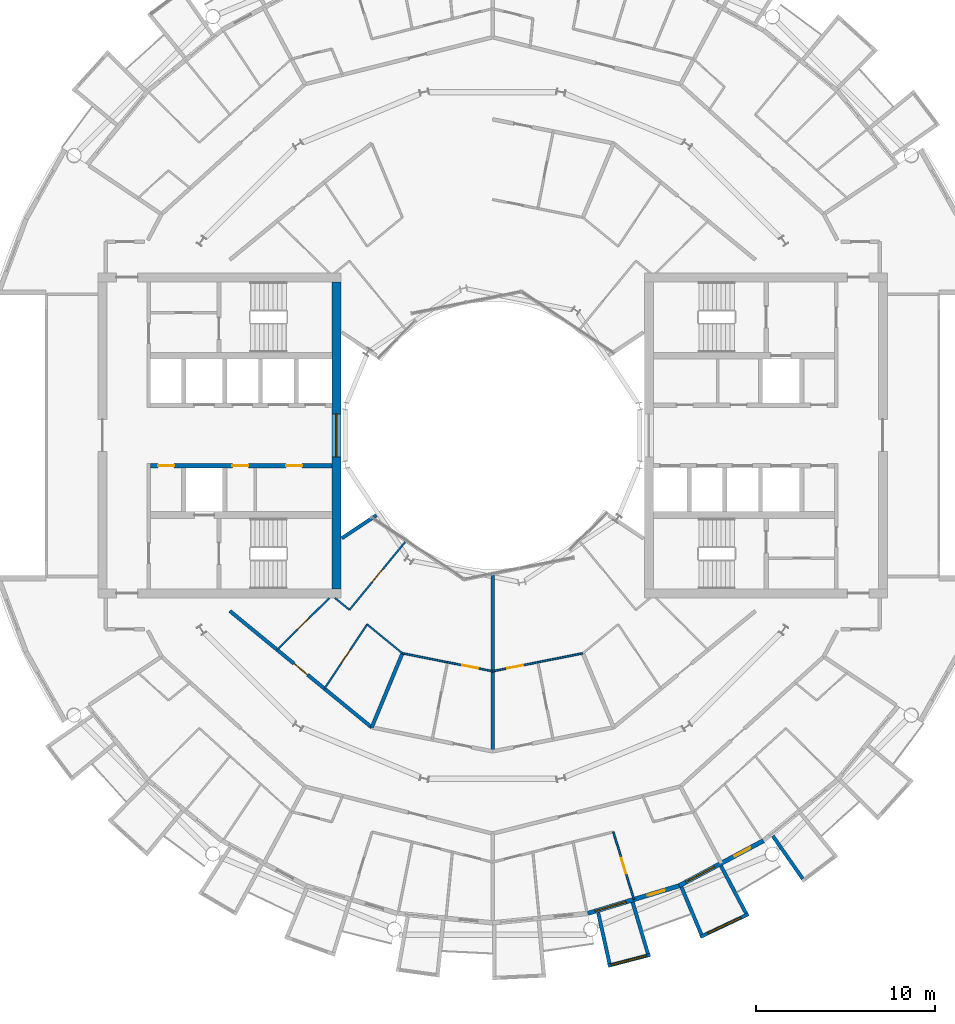
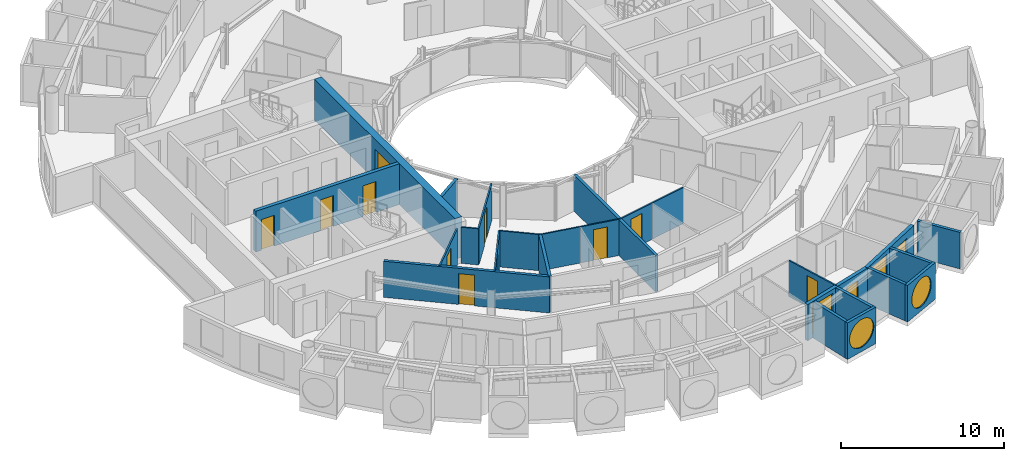
# One storey, part 16 of 27: 25 walls, 12 doors, 5 windows, 17 openings.
"""IFC4 building model written with IfcOpenShell, lengths in metres."""

import ifcopenshell
import ifcopenshell.guid

model = None  # the IFC model being written
_history = None  # IfcOwnerHistory: only IFC2X3 demands one
_inside = {}  # id of a spatial element -> (the spatial element, [elements in it])
_under = {}  # id of a project, library or spatial element -> (it, [spatial elements below it])
_declared = {}  # id of a project -> (the project, [libraries it declares])
_typed = {}  # id of a type object -> (the type object, [elements of that type])
_made_of = {}  # id of a material, layer set ... -> (it, [elements and type objects made of it])


def new_model(schema):
    """Start an empty IFC model of exactly this schema.

    Asked for "IFC4X3", IfcOpenShell would pick the latest addendum, in which some entities
    have other attributes; the version numbers below select the first issue.
    IFC2X3 requires an IfcOwnerHistory on every rooted entity: one is made here for all.
    """
    global model, _history
    if schema == "IFC4X3":
        model = ifcopenshell.file(schema_version=(4, 3, 0, 0))
    else:
        model = ifcopenshell.file(schema=schema)
    _inside.clear()
    _under.clear()
    _declared.clear()
    _typed.clear()
    _made_of.clear()
    _history = None
    if model.schema == "IFC2X3":
        org = make("IfcOrganization", Name="unknown")
        user = make(
            "IfcPersonAndOrganization",
            ThePerson=make("IfcPerson", FamilyName="unknown"),
            TheOrganization=org,
        )
        app = make(
            "IfcApplication",
            ApplicationDeveloper=org,
            Version="unknown",
            ApplicationFullName="unknown",
            ApplicationIdentifier="unknown",
        )
        _history = make(
            "IfcOwnerHistory",
            OwningUser=user,
            OwningApplication=app,
            ChangeAction="ADDED",
            CreationDate=0,
        )
    return model


def make(cls, **values):
    """One entity of the class cls with the attributes given. An attribute that is None is left unset."""
    return model.create_entity(
        cls, **{name: value for name, value in values.items() if value is not None}
    )


def rooted(cls, **values):
    """An entity with a GlobalId (a new one), such as an element, a storey or a relation."""
    return make(cls, GlobalId=ifcopenshell.guid.new(), OwnerHistory=_history, **values)


def si_unit(unit_type, name, prefix=None):
    """IfcSIUnit, for example si_unit("LENGTHUNIT", "METRE", prefix="MILLI")."""
    return make("IfcSIUnit", UnitType=unit_type, Prefix=prefix, Name=name)


def assignment(units):
    """IfcUnitAssignment: the units of a project."""
    return None if units is None else make("IfcUnitAssignment", Units=units)


def point(xyz):
    """IfcCartesianPoint."""
    return None if xyz is None else make("IfcCartesianPoint", Coordinates=xyz)


def direction(xyz):
    """IfcDirection."""
    return None if xyz is None else make("IfcDirection", DirectionRatios=xyz)


def frame(location, z_axis=None, x_axis=None):
    """IfcAxis2Placement3D, a coordinate frame: its origin and axes. An axis left out is left unset."""
    return make(
        "IfcAxis2Placement3D",
        Location=point(location),
        Axis=direction(z_axis),
        RefDirection=direction(x_axis),
    )


def frame_2d(location, x_axis=None):
    """IfcAxis2Placement2D, a coordinate frame in the plane: its origin and x axis."""
    return make(
        "IfcAxis2Placement2D", Location=point(location), RefDirection=direction(x_axis)
    )


def origin():
    """The frame at (0, 0, 0) with its axes left unset."""
    return frame((0.0, 0.0, 0.0))


def place(relative_to, where):
    """IfcLocalPlacement: puts the frame where relative to a parent placement (None: the world)."""
    return make(
        "IfcLocalPlacement", PlacementRelTo=relative_to, RelativePlacement=where
    )


def context(
    kind, dimensions, precision=None, world=None, true_north=None, identifier=None
):
    """IfcGeometricRepresentationContext, for example the 3D "Model" context."""
    return make(
        "IfcGeometricRepresentationContext",
        ContextIdentifier=identifier,
        ContextType=kind,
        CoordinateSpaceDimension=dimensions,
        Precision=precision,
        WorldCoordinateSystem=world,
        TrueNorth=true_north,
    )


def subcontext(parent, identifier, kind, view, scale=None):
    """IfcGeometricRepresentationSubContext, for example "Body" below "Model"."""
    return make(
        "IfcGeometricRepresentationSubContext",
        ContextIdentifier=identifier,
        ContextType=kind,
        ParentContext=parent,
        TargetScale=scale,
        TargetView=view,
    )


def project(units=None, contexts=None):
    """IfcProject with its units and contexts."""
    return rooted(
        "IfcProject",
        Name="project",
        RepresentationContexts=contexts,
        UnitsInContext=assignment(units),
    )


def spatial(cls, under=None, at=None, **own):
    """A site, building, storey or space (cls), placed at a placement, below another one or the project."""
    s = rooted(cls, ObjectPlacement=at, **own)
    if under is not None:
        _under.setdefault(under.id(), (under, []))[1].append(s)
    return s


def profile(cls, at=None, kind="AREA", **sizes):
    """A parametric profile (cls). Its sizes go by their IFC names, for example OverallWidth=200.0."""
    return make(cls, ProfileType=kind, Position=at, **sizes)


def rectangle(**sizes):
    """IfcRectangleProfileDef."""
    return profile("IfcRectangleProfileDef", **sizes)


def circle(**sizes):
    """IfcCircleProfileDef."""
    return profile("IfcCircleProfileDef", **sizes)


def extrude(swept, where, along, depth):
    """IfcExtrudedAreaSolid: the profile swept, set in the frame where, extruded along a direction by depth."""
    return make(
        "IfcExtrudedAreaSolid",
        SweptArea=swept,
        Position=where,
        ExtrudedDirection=direction(along),
        Depth=depth,
    )


def shape(context_of_items, identifier, shape_type, items):
    """IfcShapeRepresentation: the items that make up one representation, for example the "Body"."""
    return make(
        "IfcShapeRepresentation",
        ContextOfItems=context_of_items,
        RepresentationIdentifier=identifier,
        RepresentationType=shape_type,
        Items=items,
    )


def material(Name=None, Category=None):
    """IfcMaterial."""
    return make("IfcMaterial", Name=Name, Category=Category)


def layer(
    of_material, thickness, ventilated=None, Name=None, Category=None, Priority=None
):
    """IfcMaterialLayer: one layer of a wall or slab, of a material (None: an air gap)."""
    return make(
        "IfcMaterialLayer",
        Material=of_material,
        LayerThickness=thickness,
        IsVentilated=ventilated,
        Name=Name,
        Category=Category,
        Priority=Priority,
    )


def layer_set(layers, Name=None):
    """IfcMaterialLayerSet."""
    return make("IfcMaterialLayerSet", MaterialLayers=layers, LayerSetName=Name)


def made_of(thing, what):
    """Note that an element or type object is made of a material, layer set ...; save() writes the relation."""
    if what is not None:
        _made_of.setdefault(what.id(), (what, []))[1].append(thing)
    return thing


def type_object(cls, material=None, **own):
    """A type object (cls), such as IfcWallType, which elements share."""
    return made_of(rooted(cls, **own), material)


def element(
    cls,
    number,
    at=None,
    inside=None,
    cuts=None,
    type_object=None,
    material=None,
    context=None,
    identifier="Body",
    shape_type=None,
    held_by="IfcProductDefinitionShape",
    body=None,
    shapes=None,
    **own,
):
    """One element of the class cls, such as IfcWall. Its Tag is "e" and its number.

    at: its placement. inside: the storey or other place that contains it. cuts: it is an
    opening in that element (IfcRelVoidsElement). A single representation is given by context,
    identifier, shape_type and body (its items); several are given by shapes. held_by: the class
    of the entity that holds the representations. save() writes the other relations.
    """
    e = rooted(cls, Tag="e%d" % number, ObjectPlacement=at, **own)
    if body is not None:
        shapes = [shape(context, identifier, shape_type, body)]
    if shapes is not None:
        e.Representation = make(held_by, Representations=shapes)
    if inside is not None:
        _inside.setdefault(inside.id(), (inside, []))[1].append(e)
    if cuts is not None:
        rooted(
            "IfcRelVoidsElement", RelatingBuildingElement=cuts, RelatedOpeningElement=e
        )
    if type_object is not None:
        _typed.setdefault(type_object.id(), (type_object, []))[1].append(e)
    return made_of(e, material)


def fill(opening, filler):
    """IfcRelFillsElement: the door or window that sits in an opening."""
    return rooted(
        "IfcRelFillsElement",
        RelatingOpeningElement=opening,
        RelatedBuildingElement=filler,
    )


def aggregate(whole, parts):
    """IfcRelAggregates: a whole, such as a stair, and the parts it consists of."""
    return rooted("IfcRelAggregates", RelatingObject=whole, RelatedObjects=parts)


def save(model, path):
    """Write the relations noted so far, then the file.

    IfcRelAggregates (storeys below a building ...), IfcRelContainedInSpatialStructure (elements
    in a storey), IfcRelDefinesByType, IfcRelAssociatesMaterial and IfcRelDeclares: one each for
    every whole, place, type object, material and project.
    """
    for whole, parts in _under.values():
        aggregate(whole, parts)
    for where, things in _inside.values():
        rooted(
            "IfcRelContainedInSpatialStructure",
            RelatedElements=things,
            RelatingStructure=where,
        )
    for kind, things in _typed.values():
        rooted("IfcRelDefinesByType", RelatedObjects=things, RelatingType=kind)
    for what, things in _made_of.values():
        rooted("IfcRelAssociatesMaterial", RelatedObjects=things, RelatingMaterial=what)
    for by, libraries in _declared.values():
        rooted("IfcRelDeclares", RelatingContext=by, RelatedDefinitions=libraries)
    model.write(path)


model = new_model("IFC4")

# Units and contexts
model_context = context("Model", 3, precision=1e-05, world=origin(), true_north=direction((0.0, 1.0)))
body_context = subcontext(model_context, "Body", "Model", "MODEL_VIEW")
ifc_project = project(units=[si_unit("LENGTHUNIT", "METRE"), si_unit("AREAUNIT", "SQUARE_METRE"), si_unit("VOLUMEUNIT", "CUBIC_METRE"), si_unit("PLANEANGLEUNIT", "RADIAN"), si_unit("MASSUNIT", "GRAM", prefix="KILO")], contexts=[model_context])

# Site, building, storey
site_placement = place(None, origin())
site = spatial("IfcSite", under=ifc_project, at=site_placement, CompositionType="ELEMENT")
building_placement = place(site_placement, origin())
building = spatial("IfcBuilding", under=site, at=building_placement, Name="Maasbend Ring Residences", CompositionType="ELEMENT")
storey_placement = place(building_placement, frame((0.0, 0.0, 164.64990234375)))
storey = spatial("IfcBuildingStorey", under=building, at=storey_placement, Name="L47", CompositionType="ELEMENT", Elevation=164.64990234375)

# Wall, openings, doors
ifc_material_1 = material(Name="Concrete C60/75", Category="concrete")
ifc_layer_1 = layer(ifc_material_1, 0.25)
ifc_layer_set_1 = layer_set([ifc_layer_1], Name="Concrete C60/75")
wall_type_1 = type_object("IfcWallType", Name="CORE WALL 250 C60/75", PredefinedType="SHEAR", material=ifc_layer_set_1)
wall_1_placement = place(storey_placement, frame((-9.0, -1.699951171875, 0.0), z_axis=(0.0, 0.0, 1.0), x_axis=(-1.0, 0.0, 0.0)))
wall_1 = element("IfcWall", 1, at=wall_1_placement, inside=storey, type_object=wall_type_1, Name="L47 core W wall SPN", PredefinedType="SHEAR", context=body_context, shape_type="SweptSolid", body=[
    extrude(rectangle(XDim=10.14990234375, YDim=0.25, at=frame_2d((5.074951171875, 0.0))), origin(), (0.0, 0.0, 1.0), 3.050048828125),
])
opening_1_placement = place(wall_1_placement, frame((1.66259765625, 0.0, 0.0)))
opening_1 = element("IfcOpeningElement", 2, at=opening_1_placement, cuts=wall_1, Name="Opening D-W4706", PredefinedType="OPENING", context=body_context, shape_type="SweptSolid", body=[
    extrude(rectangle(XDim=0.89990234375, YDim=2.300048828125, at=frame_2d((0.449951171875, 1.14990234375))), frame((0.0, 0.135009765625, 0.0), z_axis=(0.0, -1.0, 0.0), x_axis=(1.0, 0.0, 0.0)), (0.0, 0.0, 1.0), 0.27001953125),
])
opening_2_placement = place(wall_1_placement, frame((4.675048828125, 0.0, 0.0)))
opening_2 = element("IfcOpeningElement", 3, at=opening_2_placement, cuts=wall_1, Name="Opening D-W4707", PredefinedType="OPENING", context=body_context, shape_type="SweptSolid", body=[
    extrude(rectangle(XDim=0.89990234375, YDim=2.300048828125, at=frame_2d((0.449951171875, 1.14990234375))), frame((0.0, 0.135009765625, 0.0), z_axis=(0.0, -1.0, 0.0), x_axis=(1.0, 0.0, 0.0)), (0.0, 0.0, 1.0), 0.27001953125),
])
opening_3_placement = place(wall_1_placement, frame((8.83740234375, 0.0, 0.0)))
opening_3 = element("IfcOpeningElement", 4, at=opening_3_placement, cuts=wall_1, Name="Opening D-W4708", PredefinedType="OPENING", context=body_context, shape_type="SweptSolid", body=[
    extrude(rectangle(XDim=0.89990234375, YDim=2.300048828125, at=frame_2d((0.449951171875, 1.14990234375))), frame((0.0, 0.135009765625, 0.0), z_axis=(0.0, -1.0, 0.0), x_axis=(1.0, 0.0, 0.0)), (0.0, 0.0, 1.0), 0.27001953125),
])
ifc_material_2 = material(Name="Steel, powder coated", Category="steel")
door_type_1 = type_object("IfcDoorType", Name="ROOM DOOR 900 X 2300 FD30S", OperationType="NOTDEFINED", PredefinedType="DOOR", material=ifc_material_2)
door_1_placement = place(opening_1_placement, origin())
door_1 = element("IfcDoor", 5, at=door_1_placement, inside=storey, type_object=door_type_1, Name="Room door L47", OperationType="SINGLE_SWING_RIGHT", OverallHeight=2.300048828125, OverallWidth=0.89990234375, PredefinedType="DOOR", context=body_context, shape_type="SweptSolid", body=[
    extrude(rectangle(XDim=0.89990234375, YDim=2.300048828125, at=frame_2d((0.449951171875, 1.14990234375))), frame((0.0, 0.02490234375, 0.0), z_axis=(0.0, -1.0, 0.0), x_axis=(1.0, 0.0, 0.0)), (0.0, 0.0, 1.0), 0.050048828125),
])
fill(opening_1, door_1)
door_2_placement = place(opening_2_placement, origin())
door_2 = element("IfcDoor", 6, at=door_2_placement, inside=storey, type_object=door_type_1, Name="Room door L47", OperationType="SINGLE_SWING_LEFT", OverallHeight=2.300048828125, OverallWidth=0.89990234375, PredefinedType="DOOR", context=body_context, shape_type="SweptSolid", body=[
    extrude(rectangle(XDim=0.89990234375, YDim=2.300048828125, at=frame_2d((0.449951171875, 1.14990234375))), frame((0.0, 0.02490234375, 0.0), z_axis=(0.0, -1.0, 0.0), x_axis=(1.0, 0.0, 0.0)), (0.0, 0.0, 1.0), 0.050048828125),
])
fill(opening_2, door_2)
door_3_placement = place(opening_3_placement, origin())
door_3 = element("IfcDoor", 7, at=door_3_placement, inside=storey, type_object=door_type_1, Name="Room door L47", OperationType="SINGLE_SWING_LEFT", OverallHeight=2.300048828125, OverallWidth=0.89990234375, PredefinedType="DOOR", context=body_context, shape_type="SweptSolid", body=[
    extrude(rectangle(XDim=0.89990234375, YDim=2.300048828125, at=frame_2d((0.449951171875, 1.14990234375))), frame((0.0, 0.02490234375, 0.0), z_axis=(0.0, -1.0, 0.0), x_axis=(1.0, 0.0, 0.0)), (0.0, 0.0, 1.0), 0.050048828125),
])
fill(opening_3, door_3)

# Wall, opening, window
ifc_material_3 = material(Name="Concrete C60/75", Category="concrete")
ifc_layer_2 = layer(ifc_material_3, 0.5)
ifc_layer_set_2 = layer_set([ifc_layer_2], Name="Concrete C60/75")
wall_type_2 = type_object("IfcWallType", Name="CORE WALL 500 C60/75", PredefinedType="SHEAR", material=ifc_layer_set_2)
wall_2_placement = place(storey_placement, frame((-8.75, 8.60009765625, 0.0), z_axis=(0.0, 0.0, 1.0), x_axis=(0.0, -1.0, 0.0)))
wall_2 = element("IfcWall", 8, at=wall_2_placement, inside=storey, type_object=wall_type_2, Name="L47 core W wall PIN", PredefinedType="SHEAR", context=body_context, shape_type="SweptSolid", body=[
    extrude(rectangle(XDim=17.2001953125, YDim=0.5, at=frame_2d((8.60009765625, 0.0))), origin(), (0.0, 0.0, 1.0), 3.050048828125),
])
opening_4_placement = place(wall_2_placement, frame((7.39990234375, 0.0, 0.10009765625)))
opening_4 = element("IfcOpeningElement", 9, at=opening_4_placement, cuts=wall_2, Name="Opening W-W4701", PredefinedType="OPENING", context=body_context, shape_type="SweptSolid", body=[
    extrude(rectangle(XDim=2.39990234375, YDim=2.199951171875, at=frame_2d((1.199951171875, 1.10009765625))), frame((0.0, 0.260009765625, 0.0), z_axis=(0.0, -1.0, 0.0), x_axis=(1.0, 0.0, 0.0)), (0.0, 0.0, 1.0), 0.52001953125),
])
ifc_material_4 = material(Name="Aluminium frame and clear glass", Category="aluminium")
window_type_1 = type_object("IfcWindowType", Name="FIXED WINDOW 2400 X 2200", PartitioningType="SINGLE_PANEL", PredefinedType="WINDOW", material=ifc_material_4)
window_1_placement = place(opening_4_placement, origin())
window_1 = element("IfcWindow", 10, at=window_1_placement, inside=storey, type_object=window_type_1, Name="Lobby window L47", OverallHeight=2.199951171875, OverallWidth=2.39990234375, PartitioningType="SINGLE_PANEL", PredefinedType="WINDOW", context=body_context, shape_type="SweptSolid", body=[
    extrude(rectangle(XDim=2.39990234375, YDim=2.199951171875, at=frame_2d((1.199951171875, 1.10009765625))), frame((0.0, 0.030029296875, 0.0), z_axis=(0.0, -1.0, 0.0), x_axis=(1.0, 0.0, 0.0)), (0.0, 0.0, 1.0), 0.06005859375),
])
fill(opening_4, window_1)

# Wall, opening, door
ifc_material_5 = material(Name="Concrete C30/37", Category="concrete")
ifc_layer_3 = layer(ifc_material_5, 0.199951171875)
ifc_layer_set_3 = layer_set([ifc_layer_3], Name="Concrete C30/37")
wall_type_3 = type_object("IfcWallType", Name="CORRIDOR WALL 200 CONCRETE", PredefinedType="PARTITIONING", material=ifc_layer_set_3)
wall_3_placement = place(storey_placement, frame((-14.717041015625, -9.833984375, 0.0), z_axis=(0.0, 0.0, 1.0), x_axis=(0.773034536097, -0.634363938131, 0.0)))
wall_3 = element("IfcWall", 11, at=wall_3_placement, inside=storey, type_object=wall_type_3, Name="U-L47-w019", PredefinedType="PARTITIONING", context=body_context, shape_type="SweptSolid", body=[
    extrude(rectangle(XDim=10.276611328125, YDim=0.199951171875, at=frame_2d((5.13818359375, 0.0))), origin(), (0.0, 0.0, 1.0), 2.7001953125),
])
opening_5_placement = place(wall_3_placement, frame((4.637939453125, 0.0, 0.0)))
opening_5 = element("IfcOpeningElement", 12, at=opening_5_placement, cuts=wall_3, Name="Opening D-4752", PredefinedType="OPENING", context=body_context, shape_type="SweptSolid", body=[
    extrude(rectangle(XDim=1.0, YDim=2.300048828125, at=frame_2d((0.5, 1.14990234375))), frame((0.0, 0.10986328125, 0.0), z_axis=(0.0, -1.0, 0.0), x_axis=(1.0, 0.0, 0.0)), (0.0, 0.0, 1.0), 0.219970703125),
])
ifc_material_6 = material(Name="Timber, fire-rated, painted", Category="wood")
door_type_2 = type_object("IfcDoorType", Name="FLAT ENTRANCE DOOR 1000 X 2300 FIRE-RATED", OperationType="NOTDEFINED", PredefinedType="DOOR", material=ifc_material_6)
door_4_placement = place(opening_5_placement, origin())
door_4 = element("IfcDoor", 13, at=door_4_placement, inside=storey, type_object=door_type_2, Name="D-4752", OperationType="SINGLE_SWING_LEFT", OverallHeight=2.300048828125, OverallWidth=1.0, PredefinedType="DOOR", context=body_context, shape_type="SweptSolid", body=[
    extrude(rectangle(XDim=1.0, YDim=2.300048828125, at=frame_2d((0.5, 1.14990234375))), frame((0.0, 0.02490234375, 0.0), z_axis=(0.0, -1.0, 0.0), x_axis=(1.0, 0.0, 0.0)), (0.0, 0.0, 1.0), 0.050048828125),
])
fill(opening_5, door_4)

# Wall, opening, window
ifc_material_7 = material(Name="Pale anodised aluminium panel", Category="aluminium")
ifc_layer_4 = layer(ifc_material_7, 0.199951171875)
ifc_layer_set_4 = layer_set([ifc_layer_4], Name="EW-BOX")
wall_type_4 = type_object("IfcWallType", Name="EW-BOX", PredefinedType="SOLIDWALL", material=ifc_layer_set_4)
wall_4_placement = place(storey_placement, frame((6.4609375, -29.705078125, -0.02978515625), z_axis=(0.0, 0.0, 1.0), x_axis=(0.96789536872, 0.251353446784, 0.0)))
wall_4 = element("IfcWall", 14, at=wall_4_placement, inside=storey, type_object=wall_type_4, Name="Box front S13", PredefinedType="SOLIDWALL", context=body_context, shape_type="SweptSolid", body=[
    extrude(rectangle(XDim=2.44677734375, YDim=0.199951171875, at=frame_2d((1.223388671875, 0.0))), origin(), (0.0, 0.0, 1.0), 2.72998046875),
])
opening_6_placement = place(wall_4_placement, frame((0.182861328125, 0.0, 0.330078125)))
opening_6 = element("IfcOpeningElement", 15, at=opening_6_placement, cuts=wall_4, Name="Opening W-RD", PredefinedType="OPENING", context=body_context, shape_type="SweptSolid", body=[
    extrude(circle(Radius=1.0400390625, at=frame_2d((1.0400390625, 1.0400390625))), frame((0.0, 0.10986328125, 0.0), z_axis=(0.0, -1.0, 0.0), x_axis=(1.0, 0.0, 0.0)), (0.0, 0.0, 1.0), 0.219970703125),
])
ifc_material_8 = material(Name="Aluminium and clear glass", Category="aluminium")
window_type_2 = type_object("IfcWindowType", Name="W-RD", PartitioningType="SINGLE_PANEL", PredefinedType="WINDOW", material=ifc_material_8)
window_2_placement = place(opening_6_placement, origin())
window_2 = element("IfcWindow", 16, at=window_2_placement, inside=storey, type_object=window_type_2, Name="Round window S13", OverallHeight=2.080078125, OverallWidth=2.080078125, PartitioningType="SINGLE_PANEL", PredefinedType="WINDOW", context=body_context, shape_type="SweptSolid", body=[
    extrude(circle(Radius=1.0400390625, at=frame_2d((1.0400390625, 1.0400390625))), frame((0.0, 0.030029296875, 0.0), z_axis=(0.0, -1.0, 0.0), x_axis=(1.0, 0.0, 0.0)), (0.0, 0.0, 1.0), 0.06005859375),
])
fill(opening_6, window_2)

# Walls
wall_5_placement = place(storey_placement, frame((5.908935546875, -26.72900390625, -0.02978515625), z_axis=(0.0, 0.0, 1.0), x_axis=(0.216409053917, -0.976302781612, 0.0)))
element("IfcWall", 17, at=wall_5_placement, inside=storey, type_object=wall_type_4, Name="Box side wall S13 left", PredefinedType="SOLIDWALL", context=body_context, shape_type="SweptSolid", body=[
    extrude(rectangle(XDim=2.92529296875, YDim=0.199951171875, at=frame_2d((1.462646484375, 0.0))), origin(), (0.0, 0.0, 1.0), 2.72998046875),
])
wall_6_placement = place(storey_placement, frame((7.8369140625, -26.14404296875, -0.02978515625), z_axis=(0.0, 0.0, 1.0), x_axis=(0.287064767992, -0.957911174889, 0.0)))
element("IfcWall", 18, at=wall_6_placement, inside=storey, type_object=wall_type_4, Name="Box side wall S13 right", PredefinedType="SOLIDWALL", context=body_context, shape_type="SweptSolid", body=[
    extrude(rectangle(XDim=3.00634765625, YDim=0.199951171875, at=frame_2d((1.503173828125, 0.0))), origin(), (0.0, 0.0, 1.0), 2.72998046875),
])

# Wall, opening, window
wall_7_placement = place(storey_placement, frame((11.62890625, -28.087890625, -0.02978515625), z_axis=(0.0, 0.0, 1.0), x_axis=(0.904000060331, 0.427532327342, 0.0)))
wall_7 = element("IfcWall", 19, at=wall_7_placement, inside=storey, type_object=wall_type_4, Name="Box front S15", PredefinedType="SOLIDWALL", context=body_context, shape_type="SweptSolid", body=[
    extrude(rectangle(XDim=2.993408203125, YDim=0.199951171875, at=frame_2d((1.49658203125, 0.0))), origin(), (0.0, 0.0, 1.0), 2.72998046875),
])
opening_7_placement = place(wall_7_placement, frame((0.45654296875, 0.0, 0.330078125)))
opening_7 = element("IfcOpeningElement", 20, at=opening_7_placement, cuts=wall_7, Name="Opening W-RD", PredefinedType="OPENING", context=body_context, shape_type="SweptSolid", body=[
    extrude(circle(Radius=1.0400390625, at=frame_2d((1.0400390625, 1.0400390625))), frame((0.0, 0.10986328125, 0.0), z_axis=(0.0, -1.0, 0.0), x_axis=(1.0, 0.0, 0.0)), (0.0, 0.0, 1.0), 0.219970703125),
])
window_3_placement = place(opening_7_placement, origin())
window_3 = element("IfcWindow", 21, at=window_3_placement, inside=storey, type_object=window_type_2, Name="Round window S15", OverallHeight=2.080078125, OverallWidth=2.080078125, PartitioningType="SINGLE_PANEL", PredefinedType="WINDOW", context=body_context, shape_type="SweptSolid", body=[
    extrude(circle(Radius=1.0400390625, at=frame_2d((1.0400390625, 1.0400390625))), frame((0.0, 0.030029296875, 0.0), z_axis=(0.0, -1.0, 0.0), x_axis=(1.0, 0.0, 0.0)), (0.0, 0.0, 1.0), 0.06005859375),
])
fill(opening_7, window_3)

# Walls
wall_8_placement = place(storey_placement, frame((10.574951171875, -25.294921875, -0.02978515625), z_axis=(0.0, 0.0, 1.0), x_axis=(0.385697364644, -0.922625353492, 0.0)))
element("IfcWall", 22, at=wall_8_placement, inside=storey, type_object=wall_type_4, Name="Box side wall S15 left", PredefinedType="SOLIDWALL", context=body_context, shape_type="SweptSolid", body=[
    extrude(rectangle(XDim=2.88330078125, YDim=0.199951171875, at=frame_2d((1.441650390625, 0.0))), origin(), (0.0, 0.0, 1.0), 2.72998046875),
])
wall_9_placement = place(storey_placement, frame((12.787109375, -24.113037109375, -0.02978515625), z_axis=(0.0, 0.0, 1.0), x_axis=(0.468365282436, -0.883534924159, 0.0)))
element("IfcWall", 23, at=wall_9_placement, inside=storey, type_object=wall_type_4, Name="Box side wall S15 right", PredefinedType="SOLIDWALL", context=body_context, shape_type="SweptSolid", body=[
    extrude(rectangle(XDim=3.006103515625, YDim=0.199951171875, at=frame_2d((1.5029296875, 0.0))), origin(), (0.0, 0.0, 1.0), 2.72998046875),
])
wall_10_placement = place(storey_placement, frame((15.68798828125, -22.43310546875, -0.02978515625), z_axis=(0.0, 0.0, 1.0), x_axis=(0.573260687834, -0.819373043115, 0.0)))
element("IfcWall", 24, at=wall_10_placement, inside=storey, type_object=wall_type_4, Name="Box side wall S17 left", PredefinedType="SOLIDWALL", context=body_context, shape_type="SweptSolid", body=[
    extrude(rectangle(XDim=2.92529296875, YDim=0.199951171875, at=frame_2d((1.462646484375, 0.0))), origin(), (0.0, 0.0, 1.0), 2.72998046875),
])

# Wall, openings, door, window
ifc_material_9 = material(Name="Aluminium clad insulated panel", Category="aluminium")
ifc_layer_5 = layer(ifc_material_9, 0.25)
ifc_layer_set_5 = layer_set([ifc_layer_5], Name="EW-GL")
wall_type_5 = type_object("IfcWallType", Name="EW-GL", PredefinedType="SOLIDWALL", material=ifc_layer_set_5)
wall_11_placement = place(storey_placement, frame((5.325927734375, -26.77490234375, 0.0), z_axis=(0.0, 0.0, 1.0), x_axis=(0.956965678721, 0.290201119486, 0.0)))
wall_11 = element("IfcWall", 25, at=wall_11_placement, inside=storey, type_object=wall_type_5, Name="External wall S07", PredefinedType="SOLIDWALL", context=body_context, shape_type="SweptSolid", body=[
    extrude(rectangle(XDim=5.351318359375, YDim=0.25, at=frame_2d((2.67578125, 0.0))), origin(), (0.0, 0.0, 1.0), 2.7001953125),
])
opening_8_placement = place(wall_11_placement, frame((0.441162109375, 0.0, 0.300048828125)))
opening_8 = element("IfcOpeningElement", 26, at=opening_8_placement, cuts=wall_11, Name="Opening W-BX", PredefinedType="OPENING", context=body_context, shape_type="SweptSolid", body=[
    extrude(rectangle(XDim=1.800048828125, YDim=2.10009765625, at=frame_2d((0.89990234375, 1.050048828125))), frame((0.0, 0.135009765625, 0.0), z_axis=(0.0, -1.0, 0.0), x_axis=(1.0, 0.0, 0.0)), (0.0, 0.0, 1.0), 0.27001953125),
])
opening_9_placement = place(wall_11_placement, frame((3.510498046875, 0.0, 0.0)))
opening_9 = element("IfcOpeningElement", 27, at=opening_9_placement, cuts=wall_11, Name="Opening D-LG", PredefinedType="OPENING", context=body_context, shape_type="SweptSolid", body=[
    extrude(rectangle(XDim=1.0, YDim=2.199951171875, at=frame_2d((0.5, 1.10009765625))), frame((0.0, 0.135009765625, 0.0), z_axis=(0.0, -1.0, 0.0), x_axis=(1.0, 0.0, 0.0)), (0.0, 0.0, 1.0), 0.27001953125),
])
ifc_material_10 = material(Name="Aluminium and clear glass", Category="aluminium")
door_type_3 = type_object("IfcDoorType", Name="D-LG", OperationType="SINGLE_SWING_LEFT", PredefinedType="DOOR", material=ifc_material_10)
door_5_placement = place(opening_9_placement, origin())
door_5 = element("IfcDoor", 28, at=door_5_placement, inside=storey, type_object=door_type_3, Name="Loggia door S14", OperationType="SINGLE_SWING_LEFT", OverallHeight=2.199951171875, OverallWidth=1.0, PredefinedType="DOOR", context=body_context, shape_type="SweptSolid", body=[
    extrude(rectangle(XDim=1.0, YDim=2.199951171875, at=frame_2d((0.5, 1.10009765625))), frame((0.0, 0.02490234375, 0.0), z_axis=(0.0, -1.0, 0.0), x_axis=(1.0, 0.0, 0.0)), (0.0, 0.0, 1.0), 0.050048828125),
])
fill(opening_9, door_5)
ifc_material_11 = material(Name="Aluminium and clear glass", Category="aluminium")
window_type_3 = type_object("IfcWindowType", Name="W-BX", PartitioningType="DOUBLE_PANEL_VERTICAL", PredefinedType="WINDOW", material=ifc_material_11)
window_4_placement = place(opening_8_placement, origin())
window_4 = element("IfcWindow", 29, at=window_4_placement, inside=storey, type_object=window_type_3, Name="Window S13 room to box", OverallHeight=2.10009765625, OverallWidth=1.800048828125, PartitioningType="SINGLE_PANEL", PredefinedType="WINDOW", context=body_context, shape_type="SweptSolid", body=[
    extrude(rectangle(XDim=1.800048828125, YDim=2.10009765625, at=frame_2d((0.89990234375, 1.050048828125))), frame((0.0, 0.030029296875, 0.0), z_axis=(0.0, -1.0, 0.0), x_axis=(1.0, 0.0, 0.0)), (0.0, 0.0, 1.0), 0.06005859375),
])
fill(opening_8, window_4)

wall_12_placement = place(storey_placement, frame((10.447021484375, -25.221923828125, 0.0), z_axis=(0.0, 0.0, 1.0), x_axis=(0.881915646801, 0.471407246368, 0.0)))
wall_12 = element("IfcWall", 30, at=wall_12_placement, inside=storey, type_object=wall_type_5, Name="External wall S08", PredefinedType="SOLIDWALL", context=body_context, shape_type="SweptSolid", body=[
    extrude(rectangle(XDim=5.35205078125, YDim=0.25, at=frame_2d((2.676025390625, 0.0))), origin(), (0.0, 0.0, 1.0), 2.7001953125),
])
opening_10_placement = place(wall_12_placement, frame((0.441162109375, 0.0, 0.300048828125)))
opening_10 = element("IfcOpeningElement", 31, at=opening_10_placement, cuts=wall_12, Name="Opening W-BX", PredefinedType="OPENING", context=body_context, shape_type="SweptSolid", body=[
    extrude(rectangle(XDim=1.800048828125, YDim=2.10009765625, at=frame_2d((0.89990234375, 1.050048828125))), frame((0.0, 0.135009765625, 0.0), z_axis=(0.0, -1.0, 0.0), x_axis=(1.0, 0.0, 0.0)), (0.0, 0.0, 1.0), 0.27001953125),
])
opening_11_placement = place(wall_12_placement, frame((3.510498046875, 0.0, 0.0)))
opening_11 = element("IfcOpeningElement", 32, at=opening_11_placement, cuts=wall_12, Name="Opening D-LG", PredefinedType="OPENING", context=body_context, shape_type="SweptSolid", body=[
    extrude(rectangle(XDim=1.0, YDim=2.199951171875, at=frame_2d((0.5, 1.10009765625))), frame((0.0, 0.135009765625, 0.0), z_axis=(0.0, -1.0, 0.0), x_axis=(1.0, 0.0, 0.0)), (0.0, 0.0, 1.0), 0.27001953125),
])
door_6_placement = place(opening_11_placement, origin())
door_6 = element("IfcDoor", 33, at=door_6_placement, inside=storey, type_object=door_type_3, Name="Loggia door S16", OperationType="SINGLE_SWING_LEFT", OverallHeight=2.199951171875, OverallWidth=1.0, PredefinedType="DOOR", context=body_context, shape_type="SweptSolid", body=[
    extrude(rectangle(XDim=1.0, YDim=2.199951171875, at=frame_2d((0.5, 1.10009765625))), frame((0.0, 0.02490234375, 0.0), z_axis=(0.0, -1.0, 0.0), x_axis=(1.0, 0.0, 0.0)), (0.0, 0.0, 1.0), 0.050048828125),
])
fill(opening_11, door_6)
window_5_placement = place(opening_10_placement, origin())
window_5 = element("IfcWindow", 34, at=window_5_placement, inside=storey, type_object=window_type_3, Name="Window S15 room to box", OverallHeight=2.10009765625, OverallWidth=1.800048828125, PartitioningType="SINGLE_PANEL", PredefinedType="WINDOW", context=body_context, shape_type="SweptSolid", body=[
    extrude(rectangle(XDim=1.800048828125, YDim=2.10009765625, at=frame_2d((0.89990234375, 1.050048828125))), frame((0.0, 0.030029296875, 0.0), z_axis=(0.0, -1.0, 0.0), x_axis=(1.0, 0.0, 0.0)), (0.0, 0.0, 1.0), 0.06005859375),
])
fill(opening_10, window_5)

# Wall, opening, door
ifc_material_12 = material(Name="Gypsum board on steel studs", Category="steel")
ifc_layer_6 = layer(ifc_material_12, 0.10009765625)
ifc_layer_set_6 = layer_set([ifc_layer_6], Name="PARTITION 100 GYPSUM")
wall_type_6 = type_object("IfcWallType", Name="PARTITION 100 GYPSUM", PredefinedType="PARTITIONING", material=ifc_layer_set_6)
wall_13_placement = place(storey_placement, frame((-2.527099609375, -12.7060546875, 0.0), z_axis=(0.0, 0.0, 1.0), x_axis=(0.980766092797, -0.195186759846, 0.0)))
wall_13 = element("IfcWall", 35, at=wall_13_placement, inside=storey, type_object=wall_type_6, Name="U-L47-w021", PredefinedType="PARTITIONING", context=body_context, shape_type="SweptSolid", body=[
    extrude(rectangle(XDim=2.57666015625, YDim=0.10009765625, at=frame_2d((1.288330078125, 0.0))), origin(), (0.0, 0.0, 1.0), 2.7001953125),
])
opening_12_placement = place(wall_13_placement, frame((0.837890625, 0.0, 0.0)))
opening_12 = element("IfcOpeningElement", 36, at=opening_12_placement, cuts=wall_13, Name="Opening D-4758", PredefinedType="OPENING", context=body_context, shape_type="SweptSolid", body=[
    extrude(rectangle(XDim=0.89990234375, YDim=2.300048828125, at=frame_2d((0.449951171875, 1.14990234375))), frame((0.0, 0.06005859375, 0.0), z_axis=(0.0, -1.0, 0.0), x_axis=(1.0, 0.0, 0.0)), (0.0, 0.0, 1.0), 0.1201171875),
])
ifc_material_13 = material(Name="Timber, painted", Category="wood")
door_type_4 = type_object("IfcDoorType", Name="INTERNAL DOOR 900 X 2300", OperationType="NOTDEFINED", PredefinedType="DOOR", material=ifc_material_13)
door_7_placement = place(opening_12_placement, origin())
door_7 = element("IfcDoor", 37, at=door_7_placement, inside=storey, type_object=door_type_4, Name="D-4758", OperationType="SINGLE_SWING_LEFT", OverallHeight=2.300048828125, OverallWidth=0.89990234375, PredefinedType="DOOR", context=body_context, shape_type="SweptSolid", body=[
    extrude(rectangle(XDim=0.89990234375, YDim=2.300048828125, at=frame_2d((0.449951171875, 1.14990234375))), frame((0.0, 0.02490234375, 0.0), z_axis=(0.0, -1.0, 0.0), x_axis=(1.0, 0.0, 0.0)), (0.0, 0.0, 1.0), 0.050048828125),
])
fill(opening_12, door_7)

wall_14_placement = place(storey_placement, frame((0.0, -13.208984375, 0.0), z_axis=(0.0, 0.0, 1.0), x_axis=(0.980766092797, 0.195186759846, 0.0)))
wall_14 = element("IfcWall", 38, at=wall_14_placement, inside=storey, type_object=wall_type_6, Name="U-L47-w022", PredefinedType="PARTITIONING", context=body_context, shape_type="SweptSolid", body=[
    extrude(rectangle(XDim=2.57666015625, YDim=0.10009765625, at=frame_2d((1.288330078125, 0.0))), origin(), (0.0, 0.0, 1.0), 2.7001953125),
])
opening_13_placement = place(wall_14_placement, frame((0.837890625, 0.0, 0.0)))
opening_13 = element("IfcOpeningElement", 39, at=opening_13_placement, cuts=wall_14, Name="Opening D-4761", PredefinedType="OPENING", context=body_context, shape_type="SweptSolid", body=[
    extrude(rectangle(XDim=0.89990234375, YDim=2.300048828125, at=frame_2d((0.449951171875, 1.14990234375))), frame((0.0, 0.06005859375, 0.0), z_axis=(0.0, -1.0, 0.0), x_axis=(1.0, 0.0, 0.0)), (0.0, 0.0, 1.0), 0.1201171875),
])
door_8_placement = place(opening_13_placement, origin())
door_8 = element("IfcDoor", 40, at=door_8_placement, inside=storey, type_object=door_type_4, Name="D-4761", OperationType="SINGLE_SWING_RIGHT", OverallHeight=2.300048828125, OverallWidth=0.89990234375, PredefinedType="DOOR", context=body_context, shape_type="SweptSolid", body=[
    extrude(rectangle(XDim=0.89990234375, YDim=2.300048828125, at=frame_2d((0.449951171875, 1.14990234375))), frame((0.0, 0.02490234375, 0.0), z_axis=(0.0, -1.0, 0.0), x_axis=(1.0, 0.0, 0.0)), (0.0, 0.0, 1.0), 0.050048828125),
])
fill(opening_13, door_8)

# Walls
wall_15_placement = place(storey_placement, frame((-8.839111328125, -9.097900390625, 0.0), z_axis=(0.0, 0.0, 1.0), x_axis=(0.7731800648, -0.634186555673, 0.0)))
element("IfcWall", 41, at=wall_15_placement, inside=storey, type_object=wall_type_6, Name="U-L47-w023", PredefinedType="PARTITIONING", context=body_context, shape_type="SweptSolid", body=[
    extrude(rectangle(XDim=1.064453125, YDim=0.10009765625, at=frame_2d((0.5322265625, 0.0))), origin(), (0.0, 0.0, 1.0), 2.7001953125),
])
wall_16_placement = place(storey_placement, frame((-7.031005859375, -10.58203125, 0.0), z_axis=(0.0, 0.0, 1.0), x_axis=(0.772943675046, -0.634474645046, 0.0)))
element("IfcWall", 42, at=wall_16_placement, inside=storey, type_object=wall_type_6, Name="U-L47-w024", PredefinedType="PARTITIONING", context=body_context, shape_type="SweptSolid", body=[
    extrude(rectangle(XDim=2.556640625, YDim=0.10009765625, at=frame_2d((1.2783203125, 0.0))), origin(), (0.0, 0.0, 1.0), 2.7001953125),
])

# Wall, opening, door
wall_17_placement = place(storey_placement, frame((-12.06494140625, -12.010986328125, 0.0), z_axis=(0.0, 0.0, 1.0), x_axis=(0.708793214553, 0.705416316088, 0.0)))
wall_17 = element("IfcWall", 43, at=wall_17_placement, inside=storey, type_object=wall_type_6, Name="U-L47-w045", PredefinedType="PARTITIONING", context=body_context, shape_type="SweptSolid", body=[
    extrude(rectangle(XDim=4.120849609375, YDim=0.10009765625, at=frame_2d((2.060546875, 0.0))), origin(), (0.0, 0.0, 1.0), 2.7001953125),
])
opening_14_placement = place(wall_17_placement, frame((1.611083984375, 0.0, 0.0)))
opening_14 = element("IfcOpeningElement", 44, at=opening_14_placement, cuts=wall_17, Name="Opening D-4754", PredefinedType="OPENING", context=body_context, shape_type="SweptSolid", body=[
    extrude(rectangle(XDim=0.89990234375, YDim=2.300048828125, at=frame_2d((0.449951171875, 1.14990234375))), frame((0.0, 0.06005859375, 0.0), z_axis=(0.0, -1.0, 0.0), x_axis=(1.0, 0.0, 0.0)), (0.0, 0.0, 1.0), 0.1201171875),
])
door_9_placement = place(opening_14_placement, origin())
door_9 = element("IfcDoor", 45, at=door_9_placement, inside=storey, type_object=door_type_4, Name="D-4754", OperationType="SINGLE_SWING_LEFT", OverallHeight=2.300048828125, OverallWidth=0.89990234375, PredefinedType="DOOR", context=body_context, shape_type="SweptSolid", body=[
    extrude(rectangle(XDim=0.89990234375, YDim=2.300048828125, at=frame_2d((0.449951171875, 1.14990234375))), frame((0.0, 0.02490234375, 0.0), z_axis=(0.0, -1.0, 0.0), x_axis=(1.0, 0.0, 0.0)), (0.0, 0.0, 1.0), 0.050048828125),
])
fill(opening_14, door_9)

wall_18_placement = place(storey_placement, frame((-9.41796875, -14.181884765625, 0.0), z_axis=(0.0, 0.0, 1.0), x_axis=(0.553303732327, 0.832979579457, 0.0)))
wall_18 = element("IfcWall", 46, at=wall_18_placement, inside=storey, type_object=wall_type_6, Name="U-L47-w047", PredefinedType="PARTITIONING", context=body_context, shape_type="SweptSolid", body=[
    extrude(rectangle(XDim=4.3193359375, YDim=0.10009765625, at=frame_2d((2.15966796875, 0.0))), origin(), (0.0, 0.0, 1.0), 2.7001953125),
])
opening_15_placement = place(wall_18_placement, frame((1.7099609375, 0.0, 0.0)))
opening_15 = element("IfcOpeningElement", 47, at=opening_15_placement, cuts=wall_18, Name="Opening D-4753", PredefinedType="OPENING", context=body_context, shape_type="SweptSolid", body=[
    extrude(rectangle(XDim=0.89990234375, YDim=2.300048828125, at=frame_2d((0.449951171875, 1.14990234375))), frame((0.0, 0.06005859375, 0.0), z_axis=(0.0, -1.0, 0.0), x_axis=(1.0, 0.0, 0.0)), (0.0, 0.0, 1.0), 0.1201171875),
])
door_10_placement = place(opening_15_placement, origin())
door_10 = element("IfcDoor", 48, at=door_10_placement, inside=storey, type_object=door_type_4, Name="D-4753", OperationType="SINGLE_SWING_RIGHT", OverallHeight=2.300048828125, OverallWidth=0.89990234375, PredefinedType="DOOR", context=body_context, shape_type="SweptSolid", body=[
    extrude(rectangle(XDim=0.89990234375, YDim=2.300048828125, at=frame_2d((0.449951171875, 1.14990234375))), frame((0.0, 0.02490234375, 0.0), z_axis=(0.0, -1.0, 0.0), x_axis=(1.0, 0.0, 0.0)), (0.0, 0.0, 1.0), 0.050048828125),
])
fill(opening_15, door_10)

wall_19_placement = place(storey_placement, frame((-8.01904296875, -9.77099609375, 0.0), z_axis=(0.0, 0.0, 1.0), x_axis=(0.634401778971, 0.773003481776, 0.0)))
wall_19 = element("IfcWall", 49, at=wall_19_placement, inside=storey, type_object=wall_type_6, Name="U-L47-w049", PredefinedType="PARTITIONING", context=body_context, shape_type="SweptSolid", body=[
    extrude(rectangle(XDim=4.919677734375, YDim=0.10009765625, at=frame_2d((2.4599609375, 0.0))), origin(), (0.0, 0.0, 1.0), 2.7001953125),
])
opening_16_placement = place(wall_19_placement, frame((2.010009765625, 0.0, 0.0)))
opening_16 = element("IfcOpeningElement", 50, at=opening_16_placement, cuts=wall_19, Name="Opening D-4755", PredefinedType="OPENING", context=body_context, shape_type="SweptSolid", body=[
    extrude(rectangle(XDim=0.89990234375, YDim=2.300048828125, at=frame_2d((0.449951171875, 1.14990234375))), frame((0.0, 0.06005859375, 0.0), z_axis=(0.0, -1.0, 0.0), x_axis=(1.0, 0.0, 0.0)), (0.0, 0.0, 1.0), 0.1201171875),
])
door_11_placement = place(opening_16_placement, origin())
door_11 = element("IfcDoor", 51, at=door_11_placement, inside=storey, type_object=door_type_4, Name="D-4755", OperationType="SINGLE_SWING_LEFT", OverallHeight=2.300048828125, OverallWidth=0.89990234375, PredefinedType="DOOR", context=body_context, shape_type="SweptSolid", body=[
    extrude(rectangle(XDim=0.89990234375, YDim=2.300048828125, at=frame_2d((0.449951171875, 1.14990234375))), frame((0.0, 0.02490234375, 0.0), z_axis=(0.0, -1.0, 0.0), x_axis=(1.0, 0.0, 0.0)), (0.0, 0.0, 1.0), 0.050048828125),
])
fill(opening_16, door_11)

wall_20_placement = place(storey_placement, frame((6.760009765625, -22.20703125, 0.0), z_axis=(0.0, 0.0, 1.0), x_axis=(0.291291575636, -0.956634317785, 0.0)))
wall_20 = element("IfcWall", 52, at=wall_20_placement, inside=storey, type_object=wall_type_6, Name="U-L47-w072", PredefinedType="PARTITIONING", context=body_context, shape_type="SweptSolid", body=[
    extrude(rectangle(XDim=3.9619140625, YDim=0.10009765625, at=frame_2d((1.98095703125, 0.0))), origin(), (0.0, 0.0, 1.0), 2.7001953125),
])
opening_17_placement = place(wall_20_placement, frame((1.531005859375, 0.0, 0.0)))
opening_17 = element("IfcOpeningElement", 53, at=opening_17_placement, cuts=wall_20, Name="Opening D-4744", PredefinedType="OPENING", context=body_context, shape_type="SweptSolid", body=[
    extrude(rectangle(XDim=0.89990234375, YDim=2.300048828125, at=frame_2d((0.449951171875, 1.14990234375))), frame((0.0, 0.06005859375, 0.0), z_axis=(0.0, -1.0, 0.0), x_axis=(1.0, 0.0, 0.0)), (0.0, 0.0, 1.0), 0.1201171875),
])
door_12_placement = place(opening_17_placement, origin())
door_12 = element("IfcDoor", 54, at=door_12_placement, inside=storey, type_object=door_type_4, Name="D-4744", OperationType="SINGLE_SWING_RIGHT", OverallHeight=2.300048828125, OverallWidth=0.89990234375, PredefinedType="DOOR", context=body_context, shape_type="SweptSolid", body=[
    extrude(rectangle(XDim=0.89990234375, YDim=2.300048828125, at=frame_2d((0.449951171875, 1.14990234375))), frame((0.0, 0.02490234375, 0.0), z_axis=(0.0, -1.0, 0.0), x_axis=(1.0, 0.0, 0.0)), (0.0, 0.0, 1.0), 0.050048828125),
])
fill(opening_17, door_12)

# Walls
for number, where, z_axis, x_axis, name in (
    (55, (-5.034912109375, -12.2080078125, 0.0), (0.0, 0.0, 1.0), (0.980857356895, -0.194727618547, 0.0), "U-L47-w122"),
    (56, (2.547119140625, -12.701904296875, 0.0), (0.0, 0.0, 1.0), (0.980857356895, 0.194727618547, 0.0), "U-L47-w123"),
):
    element("IfcWall", number, at=place(storey_placement, frame(where, z_axis=z_axis, x_axis=x_axis)), inside=storey, type_object=wall_type_6, Name=name, PredefinedType="PARTITIONING", context=body_context, shape_type="SweptSolid", body=[
        extrude(rectangle(XDim=2.536376953125, YDim=0.10009765625, at=frame_2d((1.26806640625, 0.0))), origin(), (0.0, 0.0, 1.0), 2.7001953125),
    ])
ifc_material_14 = material(Name="Concrete C30/37", Category="concrete")
ifc_layer_7 = layer(ifc_material_14, 0.199951171875)
ifc_layer_set_7 = layer_set([ifc_layer_7], Name="Concrete C30/37")
wall_type_7 = type_object("IfcWallType", Name="PARTY WALL 200 CONCRETE", PredefinedType="PARTITIONING", material=ifc_layer_set_7)
wall_21_placement = place(storey_placement, frame((-6.512939453125, -4.471923828125, 0.0), z_axis=(0.0, 0.0, 1.0), x_axis=(-0.83133816625, -0.555766905579, 0.0)))
element("IfcWall", 57, at=wall_21_placement, inside=storey, type_object=wall_type_7, Name="U-L47-w029", PredefinedType="PARTITIONING", context=body_context, shape_type="SweptSolid", body=[
    extrude(rectangle(XDim=2.322998046875, YDim=0.199951171875, at=frame_2d((1.16162109375, 0.0))), origin(), (0.0, 0.0, 1.0), 2.7001953125),
])
wall_22_placement = place(storey_placement, frame((-6.77001953125, -16.35400390625, 0.0), z_axis=(0.0, 0.0, 1.0), x_axis=(0.38258387732, 0.923920763277, 0.0)))
element("IfcWall", 58, at=wall_22_placement, inside=storey, type_object=wall_type_7, Name="U-L47-w053", PredefinedType="PARTITIONING", context=body_context, shape_type="SweptSolid", body=[
    extrude(rectangle(XDim=4.490478515625, YDim=0.199951171875, at=frame_2d((2.2451171875, 0.0))), origin(), (0.0, 0.0, 1.0), 2.7001953125),
])
wall_23_placement = place(storey_placement, frame((0.0, -17.699951171875, 0.0), z_axis=(0.0, 0.0, 1.0), x_axis=(0.0, 1.0, 0.0)))
element("IfcWall", 59, at=wall_23_placement, inside=storey, type_object=wall_type_7, Name="U-L47-w060", PredefinedType="PARTITIONING", context=body_context, shape_type="SweptSolid", body=[
    extrude(rectangle(XDim=9.97998046875, YDim=0.199951171875, at=frame_2d((4.989990234375, 0.0))), origin(), (0.0, 0.0, 1.0), 2.7001953125),
])

save(model, "model.ifc")
